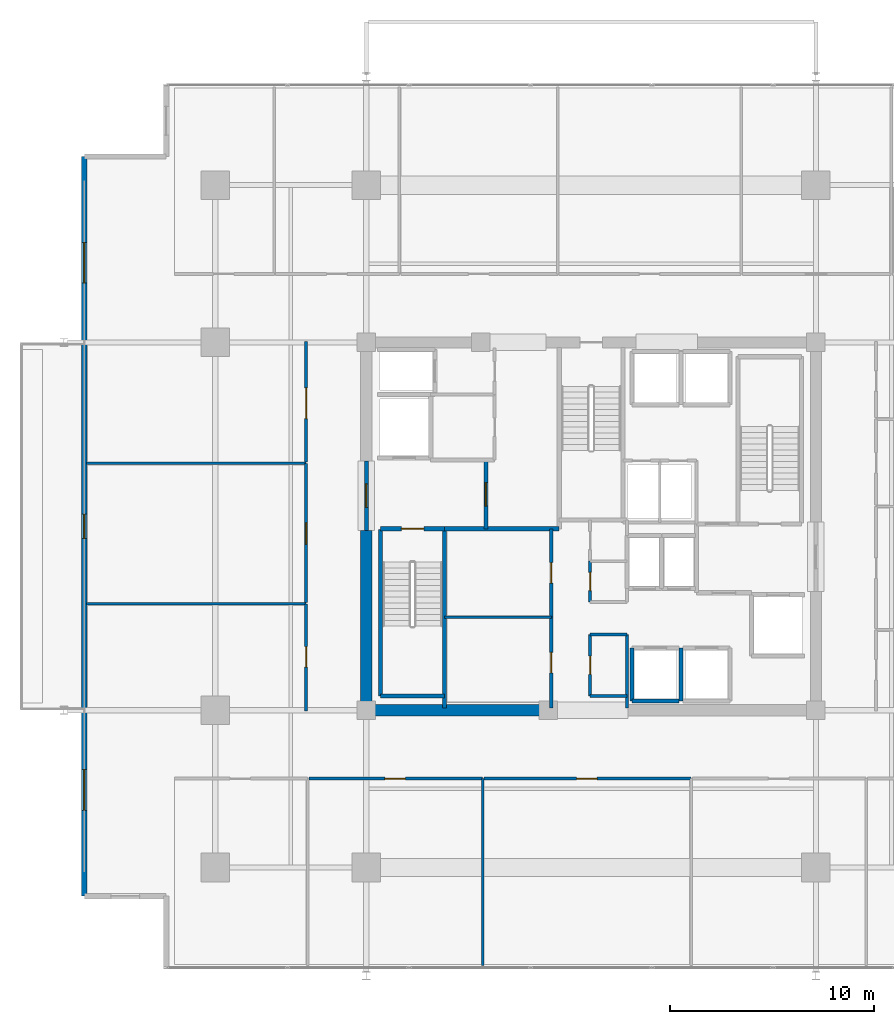
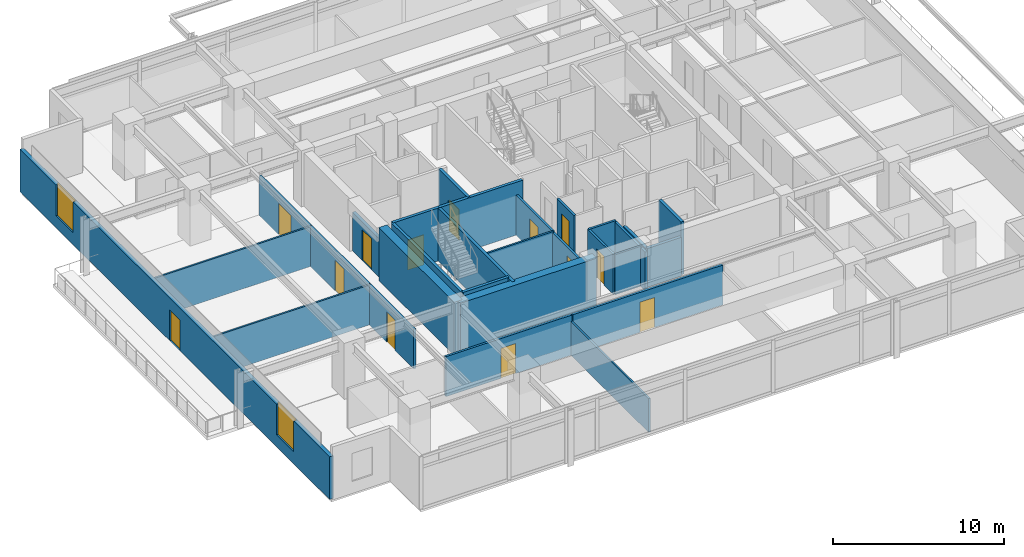
# One storey, part 14 of 21: 29 walls, 13 doors, 2 windows, 15 openings.
"""IFC4 building model written with IfcOpenShell, lengths in metres."""

from ifc_helpers import new_model, si_unit, direction, frame, frame_2d, origin, place, context, subcontext, project, spatial, rectangle, extrude, material, layer, layer_set, type_object, element, fill, save


model = new_model("IFC4")

# Units and contexts
model_context = context("Model", 3, precision=1e-05, world=origin(), true_north=direction((0.0, 1.0)))
body_context = subcontext(model_context, "Body", "Model", "MODEL_VIEW")
ifc_project = project(units=[si_unit("LENGTHUNIT", "METRE"), si_unit("AREAUNIT", "SQUARE_METRE"), si_unit("VOLUMEUNIT", "CUBIC_METRE"), si_unit("PLANEANGLEUNIT", "RADIAN"), si_unit("MASSUNIT", "GRAM", prefix="KILO")], contexts=[model_context])

# Site, building, storey
site_placement = place(None, origin())
site = spatial("IfcSite", under=ifc_project, at=site_placement, CompositionType="ELEMENT")
building_placement = place(site_placement, origin())
building = spatial("IfcBuilding", under=site, at=building_placement, Name="Kovane Verandah Tower", CompositionType="ELEMENT")
storey_placement = place(building_placement, frame((0.0, 0.0, 205.199951171875)))
storey = spatial("IfcBuildingStorey", under=building, at=storey_placement, Name="L47", CompositionType="ELEMENT", Elevation=205.199951171875)

# Walls
ifc_material_1 = material(Name="Fire-Rated Gypsum Stud Partition", Category="gypsum")
ifc_layer_1 = layer(ifc_material_1, 0.14990234375)
ifc_layer_set_1 = layer_set([ifc_layer_1], Name="Fire-Rated Gypsum Stud Partition")
wall_type_1 = type_object("IfcWallType", Name="WL-COR-150", PredefinedType="PARTITIONING", material=ifc_layer_set_1)
for number, where, z_axis, x_axis, name in (
    (1, (39.949951171875, 19.199951171875, 0.0), (0.0, 0.0, 1.0), (1.0, 0.0, 0.0), "L47 Central Core Strip South Wall"),
    (2, (39.949951171875, 22.199951171875, 0.0), (0.0, 0.0, 1.0), (1.0, 0.0, 0.0), "L47 Core Cross-Passage South Wall"),
):
    element("IfcWall", number, at=place(storey_placement, frame(where, z_axis=z_axis, x_axis=x_axis)), inside=storey, type_object=wall_type_1, Name=name, PredefinedType="PARTITIONING", context=body_context, shape_type="SweptSolid", body=[
        extrude(rectangle(XDim=1.81005859375, YDim=0.14990234375, at=frame_2d((0.905029296875, 0.0))), origin(), (0.0, 0.0, 1.0), 2.85009765625),
    ])
wall_1_placement = place(storey_placement, frame((41.760009765625, 18.60009765625, 0.0), z_axis=(0.0, 0.0, 1.0), x_axis=(0.0, 1.0, 0.0)))
element("IfcWall", 3, at=wall_1_placement, inside=storey, type_object=wall_type_1, Name="L47 Central Core Strip Lower East Wall", PredefinedType="PARTITIONING", context=body_context, shape_type="SweptSolid", body=[
    extrude(rectangle(XDim=3.599853515625, YDim=0.14990234375, at=frame_2d((1.7998046875, 0.0))), origin(), (0.0, 0.0, 1.0), 2.755126953125),
])

# Wall, opening, door
wall_2_placement = place(storey_placement, frame((39.949951171875, 19.199951171875, 0.0), z_axis=(0.0, 0.0, 1.0), x_axis=(0.0, 1.0, 0.0)))
wall_2 = element("IfcWall", 4, at=wall_2_placement, inside=storey, type_object=wall_type_1, Name="L47 Male Toilet Partition", PredefinedType="PARTITIONING", context=body_context, shape_type="SweptSolid", body=[
    extrude(rectangle(XDim=3.0, YDim=0.14990234375, at=frame_2d((1.5, 0.0))), origin(), (0.0, 0.0, 1.0), 2.85009765625),
])
opening_1_placement = place(wall_2_placement, frame((1.050048828125, 0.0, 0.0)))
opening_1 = element("IfcOpeningElement", 5, at=opening_1_placement, cuts=wall_2, Name="Opening DR-L47-034", PredefinedType="OPENING", context=body_context, shape_type="SweptSolid", body=[
    extrude(rectangle(XDim=0.89990234375, YDim=2.10009765625, at=frame_2d((0.449951171875, 1.050048828125))), frame((0.0, 0.074951171875, 0.0), z_axis=(0.0, -1.0, 0.0), x_axis=(1.0, 0.0, 0.0)), (0.0, 0.0, 1.0), 0.14990234375),
])
ifc_material_2 = material(Name="Moisture-Resistant Laminate Washroom Door", Category="wood")
door_type_1 = type_object("IfcDoorType", Name="DR-WC-900", OperationType="SINGLE_SWING_LEFT", PredefinedType="DOOR", material=ifc_material_2)
door_1_placement = place(opening_1_placement, origin())
door_1 = element("IfcDoor", 6, at=door_1_placement, inside=storey, type_object=door_type_1, Name="L47 Male Toilet Door", OperationType="SINGLE_SWING_LEFT", OverallHeight=2.10009765625, OverallWidth=0.89990234375, PredefinedType="DOOR", context=body_context, shape_type="SweptSolid", body=[
    extrude(rectangle(XDim=0.89990234375, YDim=2.10009765625, at=frame_2d((0.449951171875, 1.050048828125))), frame((0.0, 0.02490234375, 0.0), z_axis=(0.0, -1.0, 0.0), x_axis=(1.0, 0.0, 0.0)), (0.0, 0.0, 1.0), 0.050048828125),
])
fill(opening_1, door_1)

wall_3_placement = place(storey_placement, frame((39.949951171875, 23.800048828125, 0.0), z_axis=(0.0, 0.0, 1.0), x_axis=(0.0, 1.0, 0.0)))
wall_3 = element("IfcWall", 7, at=wall_3_placement, inside=storey, type_object=wall_type_1, Name="L47 Female Toilet Partition", PredefinedType="PARTITIONING", context=body_context, shape_type="SweptSolid", body=[
    extrude(rectangle(XDim=2.0, YDim=0.14990234375, at=frame_2d((1.0, 0.0))), origin(), (0.0, 0.0, 1.0), 2.85009765625),
])
opening_2_placement = place(wall_3_placement, frame((0.550048828125, 0.0, 0.0)))
opening_2 = element("IfcOpeningElement", 8, at=opening_2_placement, cuts=wall_3, Name="Opening DR-L47-033", PredefinedType="OPENING", context=body_context, shape_type="SweptSolid", body=[
    extrude(rectangle(XDim=0.89990234375, YDim=2.10009765625, at=frame_2d((0.449951171875, 1.050048828125))), frame((0.0, 0.074951171875, 0.0), z_axis=(0.0, -1.0, 0.0), x_axis=(1.0, 0.0, 0.0)), (0.0, 0.0, 1.0), 0.14990234375),
])
door_2_placement = place(opening_2_placement, origin())
door_2 = element("IfcDoor", 9, at=door_2_placement, inside=storey, type_object=door_type_1, Name="L47 Female Toilet Door", OperationType="SINGLE_SWING_RIGHT", OverallHeight=2.10009765625, OverallWidth=0.89990234375, PredefinedType="DOOR", context=body_context, shape_type="SweptSolid", body=[
    extrude(rectangle(XDim=0.89990234375, YDim=2.10009765625, at=frame_2d((0.449951171875, 1.050048828125))), frame((0.0, 0.02490234375, 0.0), z_axis=(0.0, -1.0, 0.0), x_axis=(1.0, 0.0, 0.0)), (0.0, 0.0, 1.0), 0.050048828125),
])
fill(opening_2, door_2)

wall_4_placement = place(storey_placement, frame((38.050048828125, 18.60009765625, 0.0), z_axis=(0.0, 0.0, 1.0), x_axis=(0.0, 1.0, 0.0)))
wall_4 = element("IfcWall", 10, at=wall_4_placement, inside=storey, type_object=wall_type_1, Name="L47 IT Server Room Partition", PredefinedType="PARTITIONING", context=body_context, shape_type="SweptSolid", body=[
    extrude(rectangle(XDim=4.4599609375, YDim=0.14990234375, at=frame_2d((2.22998046875, 0.0))), origin(), (0.0, 0.0, 1.0), 2.755126953125),
])
opening_3_placement = place(wall_4_placement, frame((1.72998046875, 0.0, 0.0)))
opening_3 = element("IfcOpeningElement", 11, at=opening_3_placement, cuts=wall_4, Name="Opening DR-L47-016", PredefinedType="OPENING", context=body_context, shape_type="SweptSolid", body=[
    extrude(rectangle(XDim=1.0, YDim=2.14990234375, at=frame_2d((0.5, 1.074951171875))), frame((0.0, 0.074951171875, 0.0), z_axis=(0.0, -1.0, 0.0), x_axis=(1.0, 0.0, 0.0)), (0.0, 0.0, 1.0), 0.14990234375),
])
ifc_material_3 = material(Name="FSC Spotted-Gum Timber Fire-Rated Office Door", Category="wood")
door_type_2 = type_object("IfcDoorType", Name="DR-OFF-1000", OperationType="SINGLE_SWING_LEFT", PredefinedType="DOOR", material=ifc_material_3)
door_3_placement = place(opening_3_placement, origin())
door_3 = element("IfcDoor", 12, at=door_3_placement, inside=storey, type_object=door_type_2, Name="L47 IT Server Room Door", OperationType="SINGLE_SWING_RIGHT", OverallHeight=2.14990234375, OverallWidth=1.0, PredefinedType="DOOR", context=body_context, shape_type="SweptSolid", body=[
    extrude(rectangle(XDim=1.0, YDim=2.14990234375, at=frame_2d((0.5, 1.074951171875))), frame((0.0, 0.02490234375, 0.0), z_axis=(0.0, -1.0, 0.0), x_axis=(1.0, 0.0, 0.0)), (0.0, 0.0, 1.0), 0.050048828125),
])
fill(opening_3, door_3)

wall_5_placement = place(storey_placement, frame((38.050048828125, 23.06005859375, 0.0), z_axis=(0.0, 0.0, 1.0), x_axis=(0.0, 1.0, 0.0)))
wall_5 = element("IfcWall", 13, at=wall_5_placement, inside=storey, type_object=wall_type_1, Name="L47 Telecom MDF Room Partition", PredefinedType="PARTITIONING", context=body_context, shape_type="SweptSolid", body=[
    extrude(rectangle(XDim=4.31982421875, YDim=0.14990234375, at=frame_2d((2.159912109375, 0.0))), origin(), (0.0, 0.0, 1.0), 2.85009765625),
])
opening_4_placement = place(wall_5_placement, frame((1.659912109375, 0.0, 0.0)))
opening_4 = element("IfcOpeningElement", 14, at=opening_4_placement, cuts=wall_5, Name="Opening DR-L47-017", PredefinedType="OPENING", context=body_context, shape_type="SweptSolid", body=[
    extrude(rectangle(XDim=1.0, YDim=2.14990234375, at=frame_2d((0.5, 1.074951171875))), frame((0.0, 0.074951171875, 0.0), z_axis=(0.0, -1.0, 0.0), x_axis=(1.0, 0.0, 0.0)), (0.0, 0.0, 1.0), 0.14990234375),
])
door_4_placement = place(opening_4_placement, origin())
door_4 = element("IfcDoor", 15, at=door_4_placement, inside=storey, type_object=door_type_2, Name="L47 Telecom MDF Room Door", OperationType="SINGLE_SWING_LEFT", OverallHeight=2.14990234375, OverallWidth=1.0, PredefinedType="DOOR", context=body_context, shape_type="SweptSolid", body=[
    extrude(rectangle(XDim=1.0, YDim=2.14990234375, at=frame_2d((0.5, 1.074951171875))), frame((0.0, 0.02490234375, 0.0), z_axis=(0.0, -1.0, 0.0), x_axis=(1.0, 0.0, 0.0)), (0.0, 0.0, 1.0), 0.050048828125),
])
fill(opening_4, door_4)

wall_6_placement = place(storey_placement, frame((26.197998046875, 15.14990234375, 0.0), z_axis=(0.0, 0.0, 1.0), x_axis=(1.0, 0.0, 0.0)))
wall_6 = element("IfcWall", 16, at=wall_6_placement, inside=storey, type_object=wall_type_1, Name="L47 Focus Studio S2 Corridor Partition", PredefinedType="PARTITIONING", context=body_context, shape_type="SweptSolid", body=[
    extrude(rectangle(XDim=8.498046875, YDim=0.14990234375, at=frame_2d((4.2490234375, 0.0))), origin(), (0.0, 0.0, 1.0), 2.85009765625),
])
opening_5_placement = place(wall_6_placement, frame((3.714111328125, 0.0, 0.0)))
opening_5 = element("IfcOpeningElement", 17, at=opening_5_placement, cuts=wall_6, Name="Opening DR-L47-027", PredefinedType="OPENING", context=body_context, shape_type="SweptSolid", body=[
    extrude(rectangle(XDim=1.0, YDim=2.14990234375, at=frame_2d((0.5, 1.074951171875))), frame((0.0, 0.074951171875, 0.0), z_axis=(0.0, -1.0, 0.0), x_axis=(1.0, 0.0, 0.0)), (0.0, 0.0, 1.0), 0.14990234375),
])
door_5_placement = place(opening_5_placement, origin())
door_5 = element("IfcDoor", 18, at=door_5_placement, inside=storey, type_object=door_type_2, Name="L47 Focus Studio S2 Entrance Door", OperationType="SINGLE_SWING_LEFT", OverallHeight=2.14990234375, OverallWidth=1.0, PredefinedType="DOOR", context=body_context, shape_type="SweptSolid", body=[
    extrude(rectangle(XDim=1.0, YDim=2.14990234375, at=frame_2d((0.5, 1.074951171875))), frame((0.0, 0.02490234375, 0.0), z_axis=(0.0, -1.0, 0.0), x_axis=(1.0, 0.0, 0.0)), (0.0, 0.0, 1.0), 0.050048828125),
])
fill(opening_5, door_5)

wall_7_placement = place(storey_placement, frame((34.76611328125, 15.14990234375, 0.0), z_axis=(0.0, 0.0, 1.0), x_axis=(1.0, 0.0, 0.0)))
wall_7 = element("IfcWall", 19, at=wall_7_placement, inside=storey, type_object=wall_type_1, Name="L47 Breakout Pantry S3 Corridor Partition", PredefinedType="PARTITIONING", context=body_context, shape_type="SweptSolid", body=[
    extrude(rectangle(XDim=10.1298828125, YDim=0.14990234375, at=frame_2d((5.06494140625, 0.0))), origin(), (0.0, 0.0, 1.0), 2.85009765625),
])
opening_6_placement = place(wall_7_placement, frame((4.530029296875, 0.0, 0.0)))
opening_6 = element("IfcOpeningElement", 20, at=opening_6_placement, cuts=wall_7, Name="Opening DR-L47-028", PredefinedType="OPENING", context=body_context, shape_type="SweptSolid", body=[
    extrude(rectangle(XDim=1.0, YDim=2.14990234375, at=frame_2d((0.5, 1.074951171875))), frame((0.0, 0.074951171875, 0.0), z_axis=(0.0, -1.0, 0.0), x_axis=(1.0, 0.0, 0.0)), (0.0, 0.0, 1.0), 0.14990234375),
])
door_6_placement = place(opening_6_placement, origin())
door_6 = element("IfcDoor", 21, at=door_6_placement, inside=storey, type_object=door_type_2, Name="L47 Breakout Pantry S3 Entrance Door", OperationType="SINGLE_SWING_RIGHT", OverallHeight=2.14990234375, OverallWidth=1.0, PredefinedType="DOOR", context=body_context, shape_type="SweptSolid", body=[
    extrude(rectangle(XDim=1.0, YDim=2.14990234375, at=frame_2d((0.5, 1.074951171875))), frame((0.0, 0.02490234375, 0.0), z_axis=(0.0, -1.0, 0.0), x_axis=(1.0, 0.0, 0.0)), (0.0, 0.0, 1.0), 0.050048828125),
])
fill(opening_6, door_6)

wall_8_placement = place(storey_placement, frame((26.050048828125, 18.449951171875, 0.0), z_axis=(0.0, 0.0, 1.0), x_axis=(0.0, 1.0, 0.0)))
wall_8 = element("IfcWall", 22, at=wall_8_placement, inside=storey, type_object=wall_type_1, Name="L47 Open Plan Office W1 Corridor Partition", PredefinedType="PARTITIONING", context=body_context, shape_type="SweptSolid", body=[
    extrude(rectangle(XDim=5.2490234375, YDim=0.14990234375, at=frame_2d((2.62451171875, 0.0))), origin(), (0.0, 0.0, 1.0), 2.85009765625),
])
opening_7_placement = place(wall_8_placement, frame((2.16455078125, 0.0, 0.0)))
opening_7 = element("IfcOpeningElement", 23, at=opening_7_placement, cuts=wall_8, Name="Opening DR-L47-035", PredefinedType="OPENING", context=body_context, shape_type="SweptSolid", body=[
    extrude(rectangle(XDim=1.0, YDim=2.14990234375, at=frame_2d((0.5, 1.074951171875))), frame((0.0, 0.074951171875, 0.0), z_axis=(0.0, -1.0, 0.0), x_axis=(1.0, 0.0, 0.0)), (0.0, 0.0, 1.0), 0.14990234375),
])
door_7_placement = place(opening_7_placement, origin())
door_7 = element("IfcDoor", 24, at=door_7_placement, inside=storey, type_object=door_type_2, Name="L47 Open Plan Office W1 Entrance Door", OperationType="SINGLE_SWING_LEFT", OverallHeight=2.14990234375, OverallWidth=1.0, PredefinedType="DOOR", context=body_context, shape_type="SweptSolid", body=[
    extrude(rectangle(XDim=1.0, YDim=2.14990234375, at=frame_2d((0.5, 1.074951171875))), frame((0.0, 0.02490234375, 0.0), z_axis=(0.0, -1.0, 0.0), x_axis=(1.0, 0.0, 0.0)), (0.0, 0.0, 1.0), 0.050048828125),
])
fill(opening_7, door_7)

wall_9_placement = place(storey_placement, frame((26.050048828125, 23.76904296875, 0.0), z_axis=(0.0, 0.0, 1.0), x_axis=(0.0, 1.0, 0.0)))
wall_9 = element("IfcWall", 25, at=wall_9_placement, inside=storey, type_object=wall_type_1, Name="L47 Executive Office W2 Corridor Partition", PredefinedType="PARTITIONING", context=body_context, shape_type="SweptSolid", body=[
    extrude(rectangle(XDim=6.807861328125, YDim=0.14990234375, at=frame_2d((3.40380859375, 0.0))), origin(), (0.0, 0.0, 1.0), 2.85009765625),
])
opening_8_placement = place(wall_9_placement, frame((2.843994140625, 0.0, 0.0)))
opening_8 = element("IfcOpeningElement", 26, at=opening_8_placement, cuts=wall_9, Name="Opening DR-L47-036", PredefinedType="OPENING", context=body_context, shape_type="SweptSolid", body=[
    extrude(rectangle(XDim=1.050048828125, YDim=2.199951171875, at=frame_2d((0.52490234375, 1.10009765625))), frame((0.0, 0.074951171875, 0.0), z_axis=(0.0, -1.0, 0.0), x_axis=(1.0, 0.0, 0.0)), (0.0, 0.0, 1.0), 0.14990234375),
])
ifc_material_4 = material(Name="FSC Blackbutt Timber Fire-Rated Executive Door", Category="wood")
door_type_3 = type_object("IfcDoorType", Name="DR-EXEC-1050", OperationType="SINGLE_SWING_LEFT", PredefinedType="DOOR", material=ifc_material_4)
door_8_placement = place(opening_8_placement, origin())
door_8 = element("IfcDoor", 27, at=door_8_placement, inside=storey, type_object=door_type_3, Name="L47 Executive Office W2 Entrance Door", OperationType="SINGLE_SWING_RIGHT", OverallHeight=2.199951171875, OverallWidth=1.050048828125, PredefinedType="DOOR", context=body_context, shape_type="SweptSolid", body=[
    extrude(rectangle(XDim=1.050048828125, YDim=2.199951171875, at=frame_2d((0.52490234375, 1.10009765625))), frame((0.0, 0.02490234375, 0.0), z_axis=(0.0, -1.0, 0.0), x_axis=(1.0, 0.0, 0.0)), (0.0, 0.0, 1.0), 0.050048828125),
])
fill(opening_8, door_8)

wall_10_placement = place(storey_placement, frame((26.050048828125, 30.64697265625, 0.0), z_axis=(0.0, 0.0, 1.0), x_axis=(0.0, 1.0, 0.0)))
wall_10 = element("IfcWall", 28, at=wall_10_placement, inside=storey, type_object=wall_type_1, Name="L47 Client Boardroom W3 Corridor Partition", PredefinedType="PARTITIONING", context=body_context, shape_type="SweptSolid", body=[
    extrude(rectangle(XDim=5.903076171875, YDim=0.14990234375, at=frame_2d((2.95166015625, 0.0))), origin(), (0.0, 0.0, 1.0), 2.85009765625),
])
opening_9_placement = place(wall_10_placement, frame((2.12646484375, 0.0, 0.0)))
opening_9 = element("IfcOpeningElement", 29, at=opening_9_placement, cuts=wall_10, Name="Opening DR-L47-037", PredefinedType="OPENING", context=body_context, shape_type="SweptSolid", body=[
    extrude(rectangle(XDim=1.5, YDim=2.25, at=frame_2d((0.75, 1.125))), frame((0.0, 0.074951171875, 0.0), z_axis=(0.0, -1.0, 0.0), x_axis=(1.0, 0.0, 0.0)), (0.0, 0.0, 1.0), 0.14990234375),
])
ifc_material_5 = material(Name="Glazed Timber Fire-Rated Double Door", Category="wood")
door_type_4 = type_object("IfcDoorType", Name="DR-CONF-1500", OperationType="DOUBLE_DOOR_SINGLE_SWING", PredefinedType="DOOR", material=ifc_material_5)
door_9_placement = place(opening_9_placement, origin())
door_9 = element("IfcDoor", 30, at=door_9_placement, inside=storey, type_object=door_type_4, Name="L47 Client Boardroom W3 Entrance Door", OperationType="DOUBLE_DOOR_SINGLE_SWING", OverallHeight=2.25, OverallWidth=1.5, PredefinedType="DOOR", context=body_context, shape_type="SweptSolid", body=[
    extrude(rectangle(XDim=1.5, YDim=2.25, at=frame_2d((0.75, 1.125))), frame((0.0, 0.02490234375, 0.0), z_axis=(0.0, -1.0, 0.0), x_axis=(1.0, 0.0, 0.0)), (0.0, 0.0, 1.0), 0.050048828125),
])
fill(opening_9, door_9)

# Walls
ifc_material_6 = material(Name="Concrete C60/75", Category="concrete")
ifc_layer_2 = layer(ifc_material_6, 0.550048828125)
ifc_layer_set_2 = layer_set([ifc_layer_2], Name="Concrete C60/75")
wall_type_2 = type_object("IfcWallType", Name="WL-CORE-550", PredefinedType="SHEAR", material=ifc_layer_set_2)
wall_11_placement = place(storey_placement, frame((29.0, 18.5, 0.0), z_axis=(0.0, 0.0, 1.0), x_axis=(1.0, 0.0, 0.0)))
element("IfcWall", 31, at=wall_11_placement, inside=storey, type_object=wall_type_2, Name="L47 Core Shear Wall CS-1", PredefinedType="SHEAR", context=body_context, shape_type="SweptSolid", body=[
    extrude(rectangle(XDim=9.199951171875, YDim=0.550048828125, at=frame_2d((4.60009765625, 0.0))), origin(), (0.0, 0.0, 1.0), 3.775146484375),
])
wall_12_placement = place(storey_placement, frame((29.0, 18.5, 0.0), z_axis=(0.0, 0.0, 1.0), x_axis=(0.0, 1.0, 0.0)))
element("IfcWall", 32, at=wall_12_placement, inside=storey, type_object=wall_type_2, Name="L47 Core Shear Wall CW-1", PredefinedType="SHEAR", context=body_context, shape_type="SweptSolid", body=[
    extrude(rectangle(XDim=8.800048828125, YDim=0.550048828125, at=frame_2d((4.39990234375, 0.0))), origin(), (0.0, 0.0, 1.0), 3.775146484375),
])

# Wall, opening, door
ifc_material_7 = material(Name="Concrete C45/55 Fire Wall", Category="concrete")
ifc_layer_3 = layer(ifc_material_7, 0.199951171875)
ifc_layer_set_3 = layer_set([ifc_layer_3], Name="Concrete C45/55 Fire Wall")
wall_type_3 = type_object("IfcWallType", Name="WL-FFL-200", PredefinedType="PARTITIONING", material=ifc_layer_set_3)
wall_13_placement = place(storey_placement, frame((34.85009765625, 27.3798828125, 0.0), z_axis=(0.0, 0.0, 1.0), x_axis=(0.0, 1.0, 0.0)))
wall_13 = element("IfcWall", 33, at=wall_13_placement, inside=storey, type_object=wall_type_3, Name="W-L47-FFLW-E", PredefinedType="PARTITIONING", context=body_context, shape_type="SweptSolid", body=[
    extrude(rectangle(XDim=3.3701171875, YDim=0.199951171875, at=frame_2d((1.68505859375, 0.0))), origin(), (0.0, 0.0, 1.0), 3.775146484375),
])
opening_10_placement = place(wall_13_placement, frame((1.110107421875, 0.0, 0.0)))
opening_10 = element("IfcOpeningElement", 34, at=opening_10_placement, cuts=wall_13, Name="Opening DR-L47-006", PredefinedType="OPENING", context=body_context, shape_type="SweptSolid", body=[
    extrude(rectangle(XDim=1.14990234375, YDim=2.199951171875, at=frame_2d((0.574951171875, 1.10009765625))), frame((0.0, 0.10009765625, 0.0), z_axis=(0.0, -1.0, 0.0), x_axis=(1.0, 0.0, 0.0)), (0.0, 0.0, 1.0), 0.199951171875),
])
ifc_material_8 = material(Name="Smoke-Sealed Firefighting Lobby Door", Category="steel")
door_type_5 = type_object("IfcDoorType", Name="DR-FFL-1150", OperationType="SINGLE_SWING_LEFT", PredefinedType="DOOR", material=ifc_material_8)
door_10_placement = place(opening_10_placement, origin())
door_10 = element("IfcDoor", 35, at=door_10_placement, inside=storey, type_object=door_type_5, Name="L47 West Firefighting Lobby Inner Door", OperationType="SINGLE_SWING_LEFT", OverallHeight=2.199951171875, OverallWidth=1.14990234375, PredefinedType="DOOR", context=body_context, shape_type="SweptSolid", body=[
    extrude(rectangle(XDim=1.14990234375, YDim=2.199951171875, at=frame_2d((0.574951171875, 1.10009765625))), frame((0.0, 0.02490234375, 0.0), z_axis=(0.0, -1.0, 0.0), x_axis=(1.0, 0.0, 0.0)), (0.0, 0.0, 1.0), 0.050048828125),
])
fill(opening_10, door_10)

wall_14_placement = place(storey_placement, frame((29.0, 27.300048828125, 0.0), z_axis=(0.0, 0.0, 1.0), x_axis=(0.0, 1.0, 0.0)))
wall_14 = element("IfcWall", 36, at=wall_14_placement, inside=storey, type_object=wall_type_3, Name="W-L47-FFLW-OUT", PredefinedType="PARTITIONING", context=body_context, shape_type="SweptSolid", body=[
    extrude(rectangle(XDim=3.39990234375, YDim=0.199951171875, at=frame_2d((1.699951171875, 0.0))), origin(), (0.0, 0.0, 1.0), 2.755126953125),
])
opening_11_placement = place(wall_14_placement, frame((1.125, 0.0, 0.0)))
opening_11 = element("IfcOpeningElement", 37, at=opening_11_placement, cuts=wall_14, Name="Opening DR-L47-007", PredefinedType="OPENING", context=body_context, shape_type="SweptSolid", body=[
    extrude(rectangle(XDim=1.14990234375, YDim=2.199951171875, at=frame_2d((0.574951171875, 1.10009765625))), frame((0.0, 0.10009765625, 0.0), z_axis=(0.0, -1.0, 0.0), x_axis=(1.0, 0.0, 0.0)), (0.0, 0.0, 1.0), 0.199951171875),
])
door_11_placement = place(opening_11_placement, origin())
door_11 = element("IfcDoor", 38, at=door_11_placement, inside=storey, type_object=door_type_5, Name="L47 West Firefighting Lobby Corridor Door", OperationType="SINGLE_SWING_RIGHT", OverallHeight=2.199951171875, OverallWidth=1.14990234375, PredefinedType="DOOR", context=body_context, shape_type="SweptSolid", body=[
    extrude(rectangle(XDim=1.14990234375, YDim=2.199951171875, at=frame_2d((0.574951171875, 1.10009765625))), frame((0.0, 0.02490234375, 0.0), z_axis=(0.0, -1.0, 0.0), x_axis=(1.0, 0.0, 0.0)), (0.0, 0.0, 1.0), 0.050048828125),
])
fill(opening_11, door_11)

# Walls
wall_15_placement = place(storey_placement, frame((32.820068359375, 27.3798828125, 0.0), z_axis=(0.0, 0.0, 1.0), x_axis=(1.0, 0.0, 0.0)))
element("IfcWall", 39, at=wall_15_placement, inside=storey, type_object=wall_type_3, Name="L47 West Firefighting Lobby South Fire Wall", PredefinedType="PARTITIONING", context=body_context, shape_type="SweptSolid", body=[
    extrude(rectangle(XDim=5.619873046875, YDim=0.199951171875, at=frame_2d((2.81005859375, 0.0))), origin(), (0.0, 0.0, 1.0), 3.775146484375),
])
ifc_material_9 = material(Name="Concrete C45/55 Lift Shaft Wall", Category="concrete")
ifc_layer_4 = layer(ifc_material_9, 0.199951171875)
ifc_layer_set_4 = layer_set([ifc_layer_4], Name="Concrete C45/55 Lift Shaft Wall")
wall_type_4 = type_object("IfcWallType", Name="WL-LIFT-200", PredefinedType="SOLIDWALL", material=ifc_layer_set_4)
wall_16_placement = place(storey_placement, frame((42.0, 18.949951171875, 0.0), z_axis=(0.0, 0.0, 1.0), x_axis=(1.0, 0.0, 0.0)))
element("IfcWall", 40, at=wall_16_placement, inside=storey, type_object=wall_type_4, Name="L47 Lift PL-M1 S Shaft Wall", PredefinedType="SOLIDWALL", context=body_context, shape_type="SweptSolid", body=[
    extrude(rectangle(XDim=2.300048828125, YDim=0.199951171875, at=frame_2d((1.14990234375, 0.0))), origin(), (0.0, 0.0, 1.0), 2.755126953125),
])
wall_17_placement = place(storey_placement, frame((42.0, 21.550048828125, 0.0), z_axis=(0.0, 0.0, 1.0), x_axis=(0.0, -1.0, 0.0)))
element("IfcWall", 41, at=wall_17_placement, inside=storey, type_object=wall_type_4, Name="L47 Lift PL-M1 W Shaft Wall", PredefinedType="SOLIDWALL", context=body_context, shape_type="SweptSolid", body=[
    extrude(rectangle(XDim=2.60009765625, YDim=0.199951171875, at=frame_2d((1.300048828125, 0.0))), origin(), (0.0, 0.0, 1.0), 2.755126953125),
])
wall_18_placement = place(storey_placement, frame((44.39990234375, 18.949951171875, 0.0), z_axis=(0.0, 0.0, 1.0), x_axis=(0.0, 1.0, 0.0)))
element("IfcWall", 42, at=wall_18_placement, inside=storey, type_object=wall_type_4, Name="L47 Lift PL-M1 and PL-M2 Shared Shaft Wall", PredefinedType="SOLIDWALL", context=body_context, shape_type="SweptSolid", body=[
    extrude(rectangle(XDim=2.60009765625, YDim=0.199951171875, at=frame_2d((1.300048828125, 0.0))), origin(), (0.0, 0.0, 1.0), 3.775146484375),
])
ifc_material_10 = material(Name="Acoustic Fire-Rated Gypsum Partition", Category="gypsum")
ifc_layer_5 = layer(ifc_material_10, 0.1201171875)
ifc_layer_set_5 = layer_set([ifc_layer_5], Name="Acoustic Fire-Rated Gypsum Partition")
wall_type_5 = type_object("IfcWallType", Name="WL-PART-120", PredefinedType="PARTITIONING", material=ifc_layer_set_5)
wall_19_placement = place(storey_placement, frame((32.820068359375, 23.06005859375, 0.0), z_axis=(0.0, 0.0, 1.0), x_axis=(1.0, 0.0, 0.0)))
element("IfcWall", 43, at=wall_19_placement, inside=storey, type_object=wall_type_5, Name="L47 Core Support Dividing Partition", PredefinedType="PARTITIONING", context=body_context, shape_type="SweptSolid", body=[
    extrude(rectangle(XDim=5.22998046875, YDim=0.1201171875, at=frame_2d((2.614990234375, 0.0))), origin(), (0.0, 0.0, 1.0), 2.85009765625),
])
wall_20_placement = place(storey_placement, frame((34.696044921875, 6.0, 0.0), z_axis=(0.0, 0.0, 1.0), x_axis=(0.0, 1.0, 0.0)))
element("IfcWall", 44, at=wall_20_placement, inside=storey, type_object=wall_type_5, Name="L47 Focus Studio S2 Dividing Partition", PredefinedType="PARTITIONING", context=body_context, shape_type="SweptSolid", body=[
    extrude(rectangle(XDim=9.14990234375, YDim=0.1201171875, at=frame_2d((4.574951171875, 0.0))), origin(), (0.0, 0.0, 1.0), 2.405029296875),
])
for number, where, z_axis, x_axis, name in (
    (45, (15.300048828125, 23.698974609375, 0.0), (0.0, 0.0, 1.0), (1.0, 0.0, 0.0), "L47 Open Plan Office W1 Dividing Partition"),
    (46, (15.300048828125, 30.576904296875, 0.0), (0.0, 0.0, 1.0), (1.0, 0.0, 0.0), "L47 Executive Office W2 Dividing Partition"),
):
    element("IfcWall", number, at=place(storey_placement, frame(where, z_axis=z_axis, x_axis=x_axis)), inside=storey, type_object=wall_type_5, Name=name, PredefinedType="PARTITIONING", context=body_context, shape_type="SweptSolid", body=[
        extrude(rectangle(XDim=10.75, YDim=0.1201171875, at=frame_2d((5.375, 0.0))), origin(), (0.0, 0.0, 1.0), 2.85009765625),
    ])
ifc_material_11 = material(Name="Concrete C45/55", Category="concrete")
ifc_layer_6 = layer(ifc_material_11, 0.199951171875)
ifc_layer_set_6 = layer_set([ifc_layer_6], Name="Concrete C45/55")
wall_type_6 = type_object("IfcWallType", Name="WL-SHAFT-200", PredefinedType="SOLIDWALL", material=ifc_layer_set_6)
wall_21_placement = place(storey_placement, frame((29.699951171875, 19.199951171875, 0.0), z_axis=(0.0, 0.0, 1.0), x_axis=(0.0, 1.0, 0.0)))
element("IfcWall", 47, at=wall_21_placement, inside=storey, type_object=wall_type_6, Name="W-L47-ST01-W", PredefinedType="SOLIDWALL", context=body_context, shape_type="SweptSolid", body=[
    extrude(rectangle(XDim=8.150146484375, YDim=0.199951171875, at=frame_2d((4.0751953125, 0.0))), origin(), (0.0, 0.0, 1.0), 3.775146484375),
])
wall_22_placement = place(storey_placement, frame((29.699951171875, 19.199951171875, 0.0), z_axis=(0.0, 0.0, 1.0), x_axis=(1.0, 0.0, 0.0)))
element("IfcWall", 48, at=wall_22_placement, inside=storey, type_object=wall_type_6, Name="W-L47-ST01-S", PredefinedType="SOLIDWALL", context=body_context, shape_type="SweptSolid", body=[
    extrude(rectangle(XDim=3.1201171875, YDim=0.199951171875, at=frame_2d((1.56005859375, 0.0))), origin(), (0.0, 0.0, 1.0), 3.775146484375),
])
wall_23_placement = place(storey_placement, frame((32.820068359375, 18.60009765625, 0.0), z_axis=(0.0, 0.0, 1.0), x_axis=(0.0, 1.0, 0.0)))
element("IfcWall", 49, at=wall_23_placement, inside=storey, type_object=wall_type_6, Name="W-L47-ST01-E", PredefinedType="SOLIDWALL", context=body_context, shape_type="SweptSolid", body=[
    extrude(rectangle(XDim=8.77978515625, YDim=0.199951171875, at=frame_2d((4.389892578125, 0.0))), origin(), (0.0, 0.0, 1.0), 3.775146484375),
])

# Wall, opening, door
wall_24_placement = place(storey_placement, frame((29.699951171875, 27.3798828125, 0.0), z_axis=(0.0, 0.0, 1.0), x_axis=(1.0, 0.0, 0.0)))
wall_24 = element("IfcWall", 50, at=wall_24_placement, inside=storey, type_object=wall_type_6, Name="W-L47-ST01-N", PredefinedType="SOLIDWALL", context=body_context, shape_type="SweptSolid", body=[
    extrude(rectangle(XDim=3.1201171875, YDim=0.199951171875, at=frame_2d((1.56005859375, 0.0))), origin(), (0.0, 0.0, 1.0), 3.775146484375),
])
opening_12_placement = place(wall_24_placement, frame((1.010009765625, 0.0, 0.0)))
opening_12 = element("IfcOpeningElement", 51, at=opening_12_placement, cuts=wall_24, Name="Opening DR-L47-009", PredefinedType="OPENING", context=body_context, shape_type="SweptSolid", body=[
    extrude(rectangle(XDim=1.10009765625, YDim=2.14990234375, at=frame_2d((0.550048828125, 1.074951171875))), frame((0.0, 0.10009765625, 0.0), z_axis=(0.0, -1.0, 0.0), x_axis=(1.0, 0.0, 0.0)), (0.0, 0.0, 1.0), 0.199951171875),
])
ifc_material_12 = material(Name="Fire-Rated Steel Exit Door", Category="steel")
door_type_6 = type_object("IfcDoorType", Name="DR-STAIR-1100", OperationType="SINGLE_SWING_LEFT", PredefinedType="DOOR", material=ifc_material_12)
door_12_placement = place(opening_12_placement, origin())
door_12 = element("IfcDoor", 52, at=door_12_placement, inside=storey, type_object=door_type_6, Name="L47 ST-01 Fire Exit Stair Door", OperationType="SINGLE_SWING_RIGHT", OverallHeight=2.14990234375, OverallWidth=1.10009765625, PredefinedType="DOOR", context=body_context, shape_type="SweptSolid", body=[
    extrude(rectangle(XDim=1.10009765625, YDim=2.14990234375, at=frame_2d((0.550048828125, 1.074951171875))), frame((0.0, 0.02490234375, 0.0), z_axis=(0.0, -1.0, 0.0), x_axis=(1.0, 0.0, 0.0)), (0.0, 0.0, 1.0), 0.050048828125),
])
fill(opening_12, door_12)

# Wall, openings, door, windows
ifc_material_13 = material(Name="Concrete C45/55 Insulated Spandrel Wall", Category="concrete")
ifc_layer_7 = layer(ifc_material_13, 0.260009765625)
ifc_layer_set_7 = layer_set([ifc_layer_7], Name="Concrete C45/55 Insulated Spandrel Wall")
wall_type_7 = type_object("IfcWallType", Name="WL-SPANDREL-260", PredefinedType="PARAPET", material=ifc_layer_set_7)
wall_25_placement = place(storey_placement, frame((15.199951171875, 45.60009765625, 0.0), z_axis=(0.0, 0.0, 1.0), x_axis=(0.0, -1.0, 0.0)))
wall_25 = element("IfcWall", 53, at=wall_25_placement, inside=storey, type_object=wall_type_7, Name="L47 W Verandah Access Facade Wall", PredefinedType="PARAPET", context=body_context, shape_type="SweptSolid", body=[
    extrude(rectangle(XDim=36.2001953125, YDim=0.260009765625, at=frame_2d((18.10009765625, 0.0))), origin(), (0.0, 0.0, 1.0), 3.047119140625),
])
opening_13_placement = place(wall_25_placement, frame((4.199951171875, 0.0, 0.85009765625)))
opening_13 = element("IfcOpeningElement", 54, at=opening_13_placement, cuts=wall_25, Name="Opening W-04", PredefinedType="OPENING", context=body_context, shape_type="SweptSolid", body=[
    extrude(rectangle(XDim=2.0, YDim=2.300048828125, at=frame_2d((1.0, 1.14990234375))), frame((0.0, 0.1298828125, 0.0), z_axis=(0.0, -1.0, 0.0), x_axis=(1.0, 0.0, 0.0)), (0.0, 0.0, 1.0), 0.260009765625),
])
opening_14_placement = place(wall_25_placement, frame((17.5, 0.0, 0.0)))
opening_14 = element("IfcOpeningElement", 55, at=opening_14_placement, cuts=wall_25, Name="Opening DR-L47-002", PredefinedType="OPENING", context=body_context, shape_type="SweptSolid", body=[
    extrude(rectangle(XDim=1.199951171875, YDim=2.199951171875, at=frame_2d((0.60009765625, 1.10009765625))), frame((0.0, 0.1298828125, 0.0), z_axis=(0.0, -1.0, 0.0), x_axis=(1.0, 0.0, 0.0)), (0.0, 0.0, 1.0), 0.260009765625),
])
opening_15_placement = place(wall_25_placement, frame((30.0, 0.0, 0.85009765625)))
opening_15 = element("IfcOpeningElement", 56, at=opening_15_placement, cuts=wall_25, Name="Opening W-04", PredefinedType="OPENING", context=body_context, shape_type="SweptSolid", body=[
    extrude(rectangle(XDim=2.0, YDim=2.300048828125, at=frame_2d((1.0, 1.14990234375))), frame((0.0, 0.1298828125, 0.0), z_axis=(0.0, -1.0, 0.0), x_axis=(1.0, 0.0, 0.0)), (0.0, 0.0, 1.0), 0.260009765625),
])
ifc_material_14 = material(Name="Cyclone-Rated Glazed Balcony Leaf Door", Category="aluminium")
door_type_7 = type_object("IfcDoorType", Name="DR-BAL-1200x2200", OperationType="SINGLE_SWING_LEFT", PredefinedType="DOOR", material=ifc_material_14)
door_13_placement = place(opening_14_placement, origin())
door_13 = element("IfcDoor", 57, at=door_13_placement, inside=storey, type_object=door_type_7, Name="L47 W Planted Balcony Access Door", OperationType="SINGLE_SWING_LEFT", OverallHeight=2.199951171875, OverallWidth=1.199951171875, PredefinedType="DOOR", context=body_context, shape_type="SweptSolid", body=[
    extrude(rectangle(XDim=1.199951171875, YDim=2.199951171875, at=frame_2d((0.60009765625, 1.10009765625))), frame((0.0, 0.02490234375, 0.0), z_axis=(0.0, -1.0, 0.0), x_axis=(1.0, 0.0, 0.0)), (0.0, 0.0, 1.0), 0.050048828125),
])
fill(opening_14, door_13)
ifc_material_15 = material(Name="Clear Low-E Laminated Double Glazing in Anodised Frame", Category="glass")
window_type = type_object("IfcWindowType", Name="WN-FIXED-2000x2300", PartitioningType="SINGLE_PANEL", PredefinedType="WINDOW", material=ifc_material_15)
window_1_placement = place(opening_13_placement, origin())
window_1 = element("IfcWindow", 58, at=window_1_placement, inside=storey, type_object=window_type, Name="L47 W Verandah View Window 1", OverallHeight=2.300048828125, OverallWidth=2.0, PartitioningType="SINGLE_PANEL", PredefinedType="WINDOW", context=body_context, shape_type="SweptSolid", body=[
    extrude(rectangle(XDim=2.0, YDim=2.300048828125, at=frame_2d((1.0, 1.14990234375))), frame((0.0, 0.030029296875, 0.0), z_axis=(0.0, -1.0, 0.0), x_axis=(1.0, 0.0, 0.0)), (0.0, 0.0, 1.0), 0.06005859375),
])
fill(opening_13, window_1)
window_2_placement = place(opening_15_placement, origin())
window_2 = element("IfcWindow", 59, at=window_2_placement, inside=storey, type_object=window_type, Name="L47 W Verandah View Window 2", OverallHeight=2.300048828125, OverallWidth=2.0, PartitioningType="SINGLE_PANEL", PredefinedType="WINDOW", context=body_context, shape_type="SweptSolid", body=[
    extrude(rectangle(XDim=2.0, YDim=2.300048828125, at=frame_2d((1.0, 1.14990234375))), frame((0.0, 0.030029296875, 0.0), z_axis=(0.0, -1.0, 0.0), x_axis=(1.0, 0.0, 0.0)), (0.0, 0.0, 1.0), 0.06005859375),
])
fill(opening_15, window_2)

save(model, "model.ifc")
